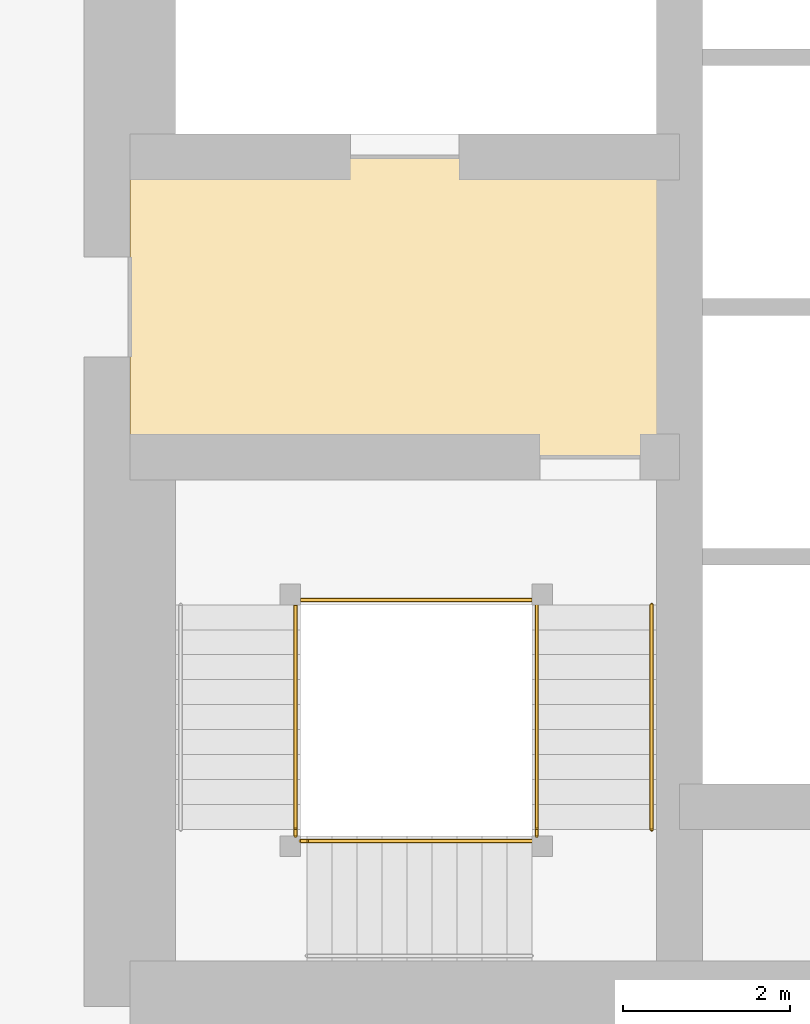
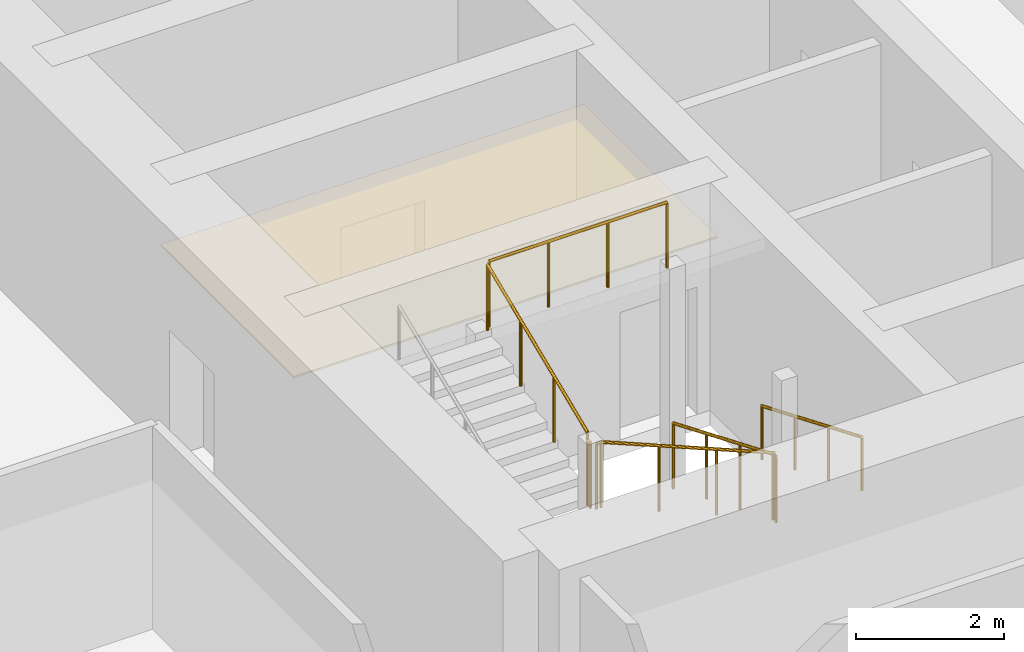
# One storey, part 37 of 44: 8 railings, 1 covering.
"""IFC4 building model written with IfcOpenShell, lengths in metres."""

from ifc_helpers import new_model, si_unit, direction, frame, origin, origin_2d, place, context, subcontext, project, spatial, polyline, circle, outline, extrude, material, layer, layer_set, type_object, element, save


model = new_model("IFC4")

# Units and contexts
model_context = context("Model", 3, precision=1e-05, world=origin(), true_north=direction((0.0, 1.0)))
body_context = subcontext(model_context, "Body", "Model", "MODEL_VIEW")
ifc_project = project(units=[si_unit("LENGTHUNIT", "METRE"), si_unit("AREAUNIT", "SQUARE_METRE"), si_unit("VOLUMEUNIT", "CUBIC_METRE"), si_unit("PLANEANGLEUNIT", "RADIAN"), si_unit("MASSUNIT", "GRAM", prefix="KILO")], contexts=[model_context])

# Site, building, storey
site_placement = place(None, origin())
site = spatial("IfcSite", under=ifc_project, at=site_placement, CompositionType="ELEMENT")
building_placement = place(site_placement, origin())
building = spatial("IfcBuilding", under=site, at=building_placement, Name="Rekha Terrace Tower", CompositionType="ELEMENT")
storey_placement = place(building_placement, frame((0.0, 0.0, 59.14990234375)))
storey = spatial("IfcBuildingStorey", under=building, at=storey_placement, Name="L14", CompositionType="ELEMENT", Elevation=59.14990234375)

# Covering
ifc_material_1 = material(Name="Powder-coated aluminium pan", Category="aluminium")
ifc_layer = layer(ifc_material_1, 0.030029296875)
ifc_layer_set = layer_set([ifc_layer], Name="Powder-coated aluminium pan")
covering_type = type_object("IfcCoveringType", Name="CL3 300x1200 metal pan ceiling", PredefinedType="CEILING", material=ifc_layer_set)
covering_placement = place(storey_placement, frame((0.0, 0.0, 2.570068359375)))
element("IfcCovering", 1, at=covering_placement, inside=storey, type_object=covering_type, Name="Ceiling L14-FLB1", PredefinedType="CEILING", context=body_context, shape_type="SweptSolid", body=[
    extrude(outline(polyline([(31.800048828125, 31.199951171875), (25.199951171875, 31.199951171875), (25.199951171875, 27.60009765625), (31.800048828125, 27.60009765625), (31.800048828125, 31.199951171875)])), origin(), (0.0, 0.0, 1.0), 0.030029296875),
])

# Railings
ifc_material_2 = material(Name="Stainless steel balustrade", Category="steel")
railing_type_1 = type_object("IfcRailingType", Name="GR1 1100 stair guard", PredefinedType="GUARDRAIL", material=ifc_material_2)
railing_1_placement = place(storey_placement, frame((30.0849609375, 25.824951171875, 0.125)))
element("IfcRailing", 2, at=railing_1_placement, inside=storey, type_object=railing_type_1, Name="Guard ST1 L14 flight 1", PredefinedType="GUARDRAIL", context=body_context, shape_type="SweptSolid", body=[
    extrude(circle(Radius=0.02392578125, at=origin_2d()), frame((0.0, 0.0, 1.076171875), z_axis=(0.0, -0.923074453586, 0.384621311341), x_axis=(1.0, 0.0, 0.0)), (0.0, 0.0, 1.0), 2.925048828125),
    extrude(circle(Radius=0.02099609375, at=origin_2d()), origin(), (0.0, 0.0, 1.0), 1.052001953125),
    extrude(circle(Radius=0.02099609375, at=origin_2d()), frame((0.0, -0.89990234375, 0.375)), (0.0, 0.0, 1.0), 1.052001953125),
    extrude(circle(Radius=0.02099609375, at=origin_2d()), frame((0.0, -1.800048828125, 0.75)), (0.0, 0.0, 1.0), 1.052001953125),
    extrude(circle(Radius=0.02099609375, at=origin_2d()), frame((0.0, -2.699951171875, 1.125)), (0.0, 0.0, 1.0), 1.052001953125),
])
railing_2_placement = place(storey_placement, frame((30.02490234375, 22.989990234375, 1.375)))
element("IfcRailing", 3, at=railing_2_placement, inside=storey, type_object=railing_type_1, Name="Guard ST1 L14 flight 2", PredefinedType="GUARDRAIL", context=body_context, shape_type="SweptSolid", body=[
    extrude(circle(Radius=0.02392578125, at=origin_2d()), frame((0.0, 0.0, 1.076171875), z_axis=(-0.923074453586, 0.0, 0.384621311341), x_axis=(0.0, -1.0, 0.0)), (0.0, 0.0, 1.0), 2.925048828125),
    extrude(circle(Radius=0.02099609375, at=origin_2d()), origin(), (0.0, 0.0, 1.0), 1.052001953125),
    extrude(circle(Radius=0.02099609375, at=origin_2d()), frame((-0.89990234375, 0.0, 0.375)), (0.0, 0.0, 1.0), 1.052001953125),
    extrude(circle(Radius=0.02099609375, at=origin_2d()), frame((-1.800048828125, 0.0, 0.75)), (0.0, 0.0, 1.0), 1.052001953125),
    extrude(circle(Radius=0.02099609375, at=origin_2d()), frame((-2.699951171875, 0.0, 1.125)), (0.0, 0.0, 1.0), 1.052001953125),
])
railing_3_placement = place(storey_placement, frame((27.18994140625, 23.125, 2.625)))
element("IfcRailing", 4, at=railing_3_placement, inside=storey, type_object=railing_type_1, Name="Guard ST1 L14 flight 3", PredefinedType="GUARDRAIL", context=body_context, shape_type="SweptSolid", body=[
    extrude(circle(Radius=0.02392578125, at=origin_2d()), frame((0.0, 0.0, 1.076171875), z_axis=(0.0, 0.923074453586, 0.384621311341), x_axis=(-1.0, 0.0, 0.0)), (0.0, 0.0, 1.0), 2.925048828125),
    extrude(circle(Radius=0.02099609375, at=origin_2d()), origin(), (0.0, 0.0, 1.0), 1.052001953125),
    extrude(circle(Radius=0.02099609375, at=origin_2d()), frame((0.0, 0.89990234375, 0.375)), (0.0, 0.0, 1.0), 1.052001953125),
    extrude(circle(Radius=0.02099609375, at=origin_2d()), frame((0.0, 1.800048828125, 0.75)), (0.0, 0.0, 1.0), 1.052001953125),
    extrude(circle(Radius=0.02099609375, at=origin_2d()), frame((0.0, 2.699951171875, 1.125)), (0.0, 0.0, 1.0), 1.052001953125),
])
railing_4_placement = place(storey_placement, frame((30.0849609375, 23.125, 1.25)))
element("IfcRailing", 5, at=railing_4_placement, inside=storey, type_object=railing_type_1, Name="Guard ST1 L14 landing 1", PredefinedType="GUARDRAIL", context=body_context, shape_type="SweptSolid", body=[
    extrude(circle(Radius=0.02392578125, at=origin_2d()), frame((0.0, 0.0, 1.076171875), z_axis=(0.0, -1.0, 0.0), x_axis=(1.0, 0.0, 0.0)), (0.0, 0.0, 1.0), 0.074951171875),
    extrude(circle(Radius=0.02099609375, at=origin_2d()), origin(), (0.0, 0.0, 1.0), 1.052001953125),
    extrude(circle(Radius=0.02099609375, at=origin_2d()), frame((0.0, -0.074951171875, 0.0)), (0.0, 0.0, 1.0), 1.052001953125),
])
railing_5_placement = place(storey_placement, frame((27.324951171875, 22.989990234375, 2.5)))
element("IfcRailing", 6, at=railing_5_placement, inside=storey, type_object=railing_type_1, Name="Guard ST1 L14 landing 2", PredefinedType="GUARDRAIL", context=body_context, shape_type="SweptSolid", body=[
    extrude(circle(Radius=0.02392578125, at=origin_2d()), frame((0.0, 0.0, 1.076171875), z_axis=(-1.0, 0.0, 0.0), x_axis=(0.0, -1.0, 0.0)), (0.0, 0.0, 1.0), 0.074951171875),
    extrude(circle(Radius=0.02099609375, at=origin_2d()), origin(), (0.0, 0.0, 1.0), 1.052001953125),
    extrude(circle(Radius=0.02099609375, at=origin_2d()), frame((-0.074951171875, 0.0, 0.0)), (0.0, 0.0, 1.0), 1.052001953125),
])
railing_6_placement = place(storey_placement, frame((27.18994140625, 23.125, 2.5)))
element("IfcRailing", 7, at=railing_6_placement, inside=storey, type_object=railing_type_1, Name="Guard ST1 L14 landing 3", PredefinedType="GUARDRAIL", context=body_context, shape_type="SweptSolid", body=[
    extrude(circle(Radius=0.02392578125, at=origin_2d()), frame((0.0, 0.0, 1.076171875), z_axis=(0.0, -1.0, 0.0), x_axis=(1.0, 0.0, 0.0)), (0.0, 0.0, 1.0), 0.074951171875),
    extrude(circle(Radius=0.02099609375, at=origin_2d()), origin(), (0.0, 0.0, 1.0), 1.052001953125),
    extrude(circle(Radius=0.02099609375, at=origin_2d()), frame((0.0, -0.074951171875, 0.0)), (0.0, 0.0, 1.0), 1.052001953125),
])
railing_7_placement = place(storey_placement, frame((30.02490234375, 25.885009765625, 3.75)))
element("IfcRailing", 8, at=railing_7_placement, inside=storey, type_object=railing_type_1, Name="Guard ST1 L14 landing 4", PredefinedType="GUARDRAIL", context=body_context, shape_type="SweptSolid", body=[
    extrude(circle(Radius=0.02392578125, at=origin_2d()), frame((0.0, 0.0, 1.076171875), z_axis=(-1.0, 0.0, 0.0), x_axis=(0.0, -1.0, 0.0)), (0.0, 0.0, 1.0), 2.77490234375),
    extrude(circle(Radius=0.02099609375, at=origin_2d()), origin(), (0.0, 0.0, 1.0), 1.052001953125),
    extrude(circle(Radius=0.02099609375, at=origin_2d()), frame((-0.925048828125, 0.0, 0.0)), (0.0, 0.0, 1.0), 1.052001953125),
    extrude(circle(Radius=0.02099609375, at=origin_2d()), frame((-1.849853515625, 0.0, 0.0)), (0.0, 0.0, 1.0), 1.052001953125),
    extrude(circle(Radius=0.02099609375, at=origin_2d()), frame((-2.77490234375, 0.0, 0.0)), (0.0, 0.0, 1.0), 1.052001953125),
])
ifc_material_3 = material(Name="Stainless steel tube", Category="steel")
railing_type_2 = type_object("IfcRailingType", Name="HR1 900 stair handrail", PredefinedType="HANDRAIL", material=ifc_material_3)
railing_8_placement = place(storey_placement, frame((31.465087890625, 25.824951171875, 0.125)))
element("IfcRailing", 9, at=railing_8_placement, inside=storey, type_object=railing_type_2, Name="Handrail ST1 L14 flight 1", PredefinedType="HANDRAIL", context=body_context, shape_type="SweptSolid", body=[
    extrude(circle(Radius=0.02392578125, at=origin_2d()), frame((0.0, 0.0, 0.8759765625), z_axis=(0.0, -0.923074453586, 0.384621311341), x_axis=(1.0, 0.0, 0.0)), (0.0, 0.0, 1.0), 2.925048828125),
    extrude(circle(Radius=0.02099609375, at=origin_2d()), origin(), (0.0, 0.0, 1.0), 0.851806640625),
    extrude(circle(Radius=0.02099609375, at=origin_2d()), frame((0.0, -0.89990234375, 0.375)), (0.0, 0.0, 1.0), 0.851806640625),
    extrude(circle(Radius=0.02099609375, at=origin_2d()), frame((0.0, -1.800048828125, 0.75)), (0.0, 0.0, 1.0), 0.851806640625),
    extrude(circle(Radius=0.02099609375, at=origin_2d()), frame((0.0, -2.699951171875, 1.125)), (0.0, 0.0, 1.0), 0.851806640625),
])

save(model, "model.ifc")
